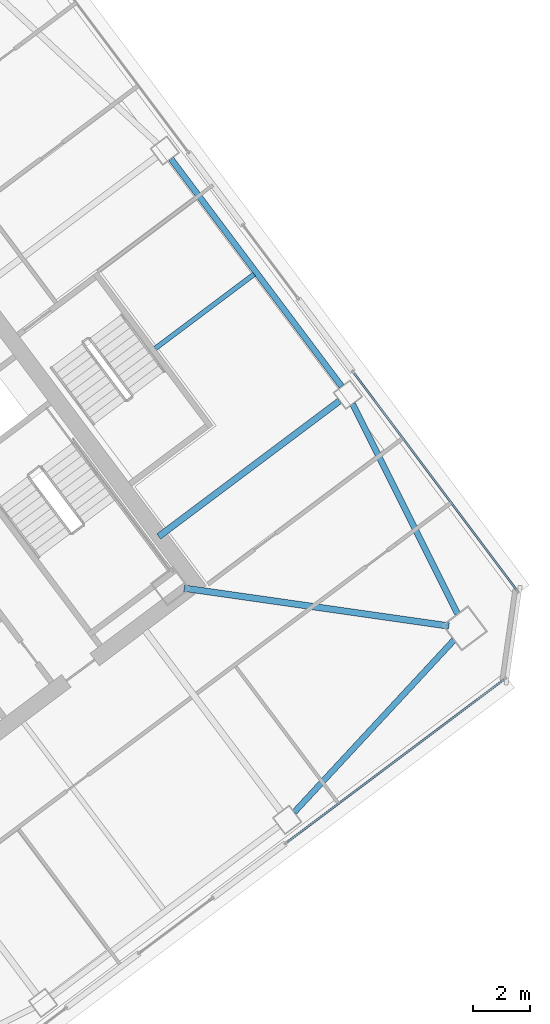
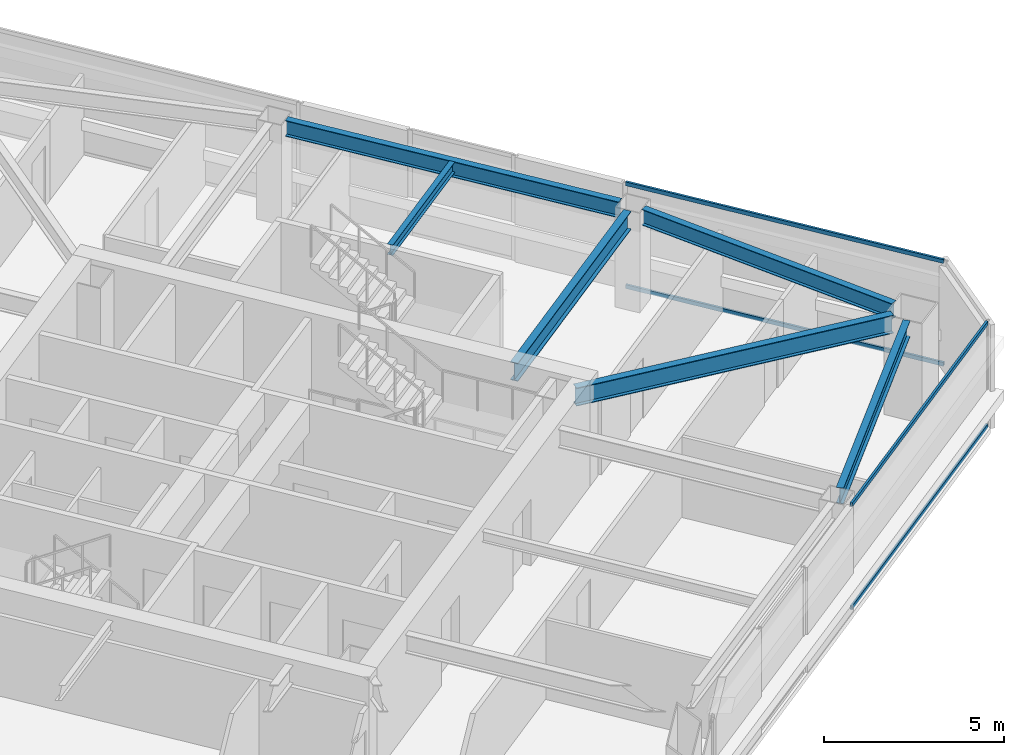
# One storey, part 25 of 43: 6 beams, 4 members, 2 elements without a shape of their own.
"""IFC4 building model written with IfcOpenShell, lengths in metres."""

from ifc_helpers import new_model, si_unit, direction, frame, origin, origin_2d, place, context, subcontext, project, spatial, hollow_rectangle, i_section, extrude, material, material_profile, profile_set, type_object, element, aggregate, save


model = new_model("IFC4")

# Units and contexts
model_context = context("Model", 3, precision=1e-05, world=origin(), true_north=direction((0.0, 1.0)))
body_context = subcontext(model_context, "Body", "Model", "MODEL_VIEW")
ifc_project = project(units=[si_unit("LENGTHUNIT", "METRE"), si_unit("AREAUNIT", "SQUARE_METRE"), si_unit("VOLUMEUNIT", "CUBIC_METRE"), si_unit("PLANEANGLEUNIT", "RADIAN"), si_unit("MASSUNIT", "GRAM", prefix="KILO")], contexts=[model_context])

# Site, building, storey
site_placement = place(None, origin())
site = spatial("IfcSite", under=ifc_project, at=site_placement, CompositionType="ELEMENT")
building_placement = place(site_placement, origin())
building = spatial("IfcBuilding", under=site, at=building_placement, Name="Tashvorn Skyway Center", CompositionType="ELEMENT")
storey_placement = place(building_placement, frame((0.0, 0.0, 188.949951171875)))
storey = spatial("IfcBuildingStorey", under=building, at=storey_placement, Name="L51", CompositionType="ELEMENT", Elevation=188.949951171875)

# Beams
ifc_material_1 = material(Name="Steel ASTM A992 Grade 50", Category="steel")
ifc_material_profile_1 = material_profile(ifc_material_1, i_section(OverallWidth=0.22998046875, OverallDepth=0.616943359375, WebThickness=0.01318359375, FlangeThickness=0.022216796875, at=origin_2d()), Name="W24X94")
ifc_profile_set_1 = profile_set([ifc_material_profile_1], Name="Steel ASTM A992 Grade 50")
beam_type_1 = type_object("IfcBeamType", Name="BM-BEAM-W24X94", PredefinedType="BEAM", material=ifc_profile_set_1)
beam_1_placement = place(storey_placement, frame((133.73583984375, 29.1806640625, 3.0615234375), z_axis=(-0.989950009213, 0.141417747326, 0.0), x_axis=(-0.141417747326, -0.989950009213, 0.0)))
element("IfcBeam", 1, at=beam_1_placement, inside=storey, type_object=beam_type_1, Name="Tower 2 L51 Primary Floor Girder MC-SE", PredefinedType="BEAM", context=body_context, shape_type="SweptSolid", body=[
    extrude(i_section(OverallWidth=0.22998046875, OverallDepth=0.616943359375, WebThickness=0.01318359375, FlangeThickness=0.022216796875, at=origin_2d()), origin(), (0.0, 0.0, 1.0), 9.470947265625),
])
beam_2_placement = place(storey_placement, frame((129.864013671875, 37.14794921875, 3.0615234375), z_axis=(-0.799992675677, -0.60000976564, 0.0), x_axis=(0.60000976564, -0.799992675677, 0.0)))
element("IfcBeam", 2, at=beam_2_placement, inside=storey, type_object=beam_type_1, Name="Tower 2 L51 Primary Floor Girder FC-E1", PredefinedType="BEAM", context=body_context, shape_type="SweptSolid", body=[
    extrude(i_section(OverallWidth=0.22998046875, OverallDepth=0.616943359375, WebThickness=0.01318359375, FlangeThickness=0.022216796875, at=origin_2d()), origin(), (0.0, 0.0, 1.0), 8.0),
])
ifc_material_profile_2 = material_profile(ifc_material_1, i_section(OverallWidth=0.1708984375, OverallDepth=0.35498046875, WebThickness=0.007080078125, FlangeThickness=0.01171875, at=origin_2d()), Name="W14X34")
ifc_profile_set_2 = profile_set([ifc_material_profile_2], Name="Steel ASTM A992 Grade 50")
beam_type_2 = type_object("IfcBeamType", Name="BM-JOIST-W14X34", PredefinedType="JOIST", material=ifc_profile_set_2)
beam_3_placement = place(storey_placement, frame((123.3359375, 39.001953125, 3.192626953125), z_axis=(0.799993315235, 0.600008912917, 0.0), x_axis=(-0.600008912917, 0.799993315235, 0.0)))
element("IfcBeam", 3, at=beam_3_placement, inside=storey, type_object=beam_type_2, Name="Tower 2 L51 Secondary Composite Joist JE", PredefinedType="JOIST", context=body_context, shape_type="SweptSolid", body=[
    extrude(i_section(OverallWidth=0.1708984375, OverallDepth=0.35498046875, WebThickness=0.007080078125, FlangeThickness=0.01171875, at=origin_2d()), origin(), (0.0, 0.0, 1.0), 4.382568359375),
])
ifc_material_profile_3 = material_profile(ifc_material_1, i_section(OverallWidth=0.2109375, OverallDepth=0.5390625, WebThickness=0.01171875, FlangeThickness=0.018798828125, at=origin_2d()), Name="W21X73")
ifc_profile_set_3 = profile_set([ifc_material_profile_3], Name="Steel ASTM A992 Grade 50")
beam_type_3 = type_object("IfcBeamType", Name="BM-SPANDREL-W21X73", PredefinedType="SPANDREL", material=ifc_profile_set_3)
for number, where, z_axis, x_axis, name in (
    (4, (128.26171875, 22.59130859375, 3.1005859375), (0.680119661736, 0.733101115618, 0.0), (-0.733101115618, 0.680119661736, 0.0), "Tower 2 L51 Spandrel Beam 03"),
    (5, (134.044921875, 29.609619140625, 3.1005859375), (-0.447648438059, 0.894209637559, 0.0), (-0.894209637559, -0.447648438059, 0.0), "Tower 2 L51 Spandrel Beam 04"),
):
    element("IfcBeam", number, at=place(storey_placement, frame(where, z_axis=z_axis, x_axis=x_axis)), inside=storey, type_object=beam_type_3, Name=name, PredefinedType="SPANDREL", context=body_context, shape_type="SweptSolid", body=[
        extrude(i_section(OverallWidth=0.2109375, OverallDepth=0.5390625, WebThickness=0.01171875, FlangeThickness=0.018798828125, at=origin_2d()), origin(), (0.0, 0.0, 1.0), 8.308349609375),
    ])
beam_4_placement = place(storey_placement, frame((129.93798828125, 37.666015625, 3.1005859375), z_axis=(-0.599988351091, 0.800008736549, 0.0), x_axis=(-0.800008736549, -0.599988351091, 0.0)))
element("IfcBeam", 6, at=beam_4_placement, inside=storey, type_object=beam_type_3, Name="Tower 2 L51 Spandrel Beam 05", PredefinedType="SPANDREL", context=body_context, shape_type="SweptSolid", body=[
    extrude(i_section(OverallWidth=0.2109375, OverallDepth=0.5390625, WebThickness=0.01171875, FlangeThickness=0.018798828125, at=origin_2d()), origin(), (0.0, 0.0, 1.0), 10.06005859375),
])

# Curtain wall, members
ifc_material_2 = material(Name="Thermally broken bronze-anodized aluminium 6063-T6", Category="aluminium")
curtain_wall_type = type_object("IfcCurtainWallType", Name="CW-CW-Z4", PredefinedType="NOTDEFINED", material=ifc_material_2)
curtain_wall_1_placement = place(storey_placement, origin())
curtain_wall_1 = element("IfcCurtainWall", 7, at=curtain_wall_1_placement, inside=storey, type_object=curtain_wall_type, Name="Tower 2 L51 South Unitised Curtain Wall Glazing Group 1", PredefinedType="NOTDEFINED")
ifc_material_profile_4 = material_profile(ifc_material_2, hollow_rectangle(XDim=0.070068359375, YDim=0.1298828125, WallThickness=0.00390625, at=origin_2d()), Name="ALU-TRAN-70x130")
ifc_profile_set_4 = profile_set([ifc_material_profile_4], Name="Thermally broken bronze-anodized aluminium 6063-T6")
member_type = type_object("IfcMemberType", Name="CWT-CW-Z4", PredefinedType="USERDEFINED", material=ifc_profile_set_4)
member_1_placement = place(storey_placement, frame((135.676025390625, 27.281982421875, 0.03515625), z_axis=(-0.8, -0.6, 0.0), x_axis=(0.6, -0.8, 0.0)))
member_1 = element("IfcMember", 8, at=member_1_placement, type_object=member_type, Name="CW-Z4 transom 1.1", ObjectType="TRANSOM", PredefinedType="USERDEFINED", context=body_context, shape_type="SweptSolid", body=[
    extrude(hollow_rectangle(XDim=0.070068359375, YDim=0.1298828125, WallThickness=0.00390625, at=origin_2d()), origin(), (0.0, 0.0, 1.0), 9.580078125),
])
member_2_placement = place(storey_placement, frame((135.676025390625, 27.281982421875, 3.51513671875), z_axis=(-0.8, -0.6, 0.0), x_axis=(0.6, -0.8, 0.0)))
member_2 = element("IfcMember", 9, at=member_2_placement, type_object=member_type, Name="CW-Z4 transom 1.2", ObjectType="TRANSOM", PredefinedType="USERDEFINED", context=body_context, shape_type="SweptSolid", body=[
    extrude(hollow_rectangle(XDim=0.070068359375, YDim=0.1298828125, WallThickness=0.00390625, at=origin_2d()), origin(), (0.0, 0.0, 1.0), 9.580078125),
])
aggregate(curtain_wall_1, [member_1, member_2])

curtain_wall_2_placement = place(storey_placement, origin())
curtain_wall_2 = element("IfcCurtainWall", 10, at=curtain_wall_2_placement, inside=storey, type_object=curtain_wall_type, Name="Tower 2 L51 East Unitised Curtain Wall Glazing Group 3", PredefinedType="NOTDEFINED")
member_3_placement = place(storey_placement, frame((130.382080078125, 38.1240234375, 0.03515625), z_axis=(0.599983689738, -0.800012232437, 0.0), x_axis=(0.800012232437, 0.599983689738, 0.0)))
member_3 = element("IfcMember", 11, at=member_3_placement, type_object=member_type, Name="CW-Z4 transom 1.1", ObjectType="TRANSOM", PredefinedType="USERDEFINED", context=body_context, shape_type="SweptSolid", body=[
    extrude(hollow_rectangle(XDim=0.070068359375, YDim=0.1298828125, WallThickness=0.00390625, at=origin_2d()), origin(), (0.0, 0.0, 1.0), 9.579833984375),
])
member_4_placement = place(storey_placement, frame((130.382080078125, 38.1240234375, 3.51513671875), z_axis=(0.599983689738, -0.800012232437, 0.0), x_axis=(0.800012232437, 0.599983689738, 0.0)))
member_4 = element("IfcMember", 12, at=member_4_placement, type_object=member_type, Name="CW-Z4 transom 1.2", ObjectType="TRANSOM", PredefinedType="USERDEFINED", context=body_context, shape_type="SweptSolid", body=[
    extrude(hollow_rectangle(XDim=0.070068359375, YDim=0.1298828125, WallThickness=0.00390625, at=origin_2d()), origin(), (0.0, 0.0, 1.0), 9.579833984375),
])
aggregate(curtain_wall_2, [member_3, member_4])

save(model, "model.ifc")
